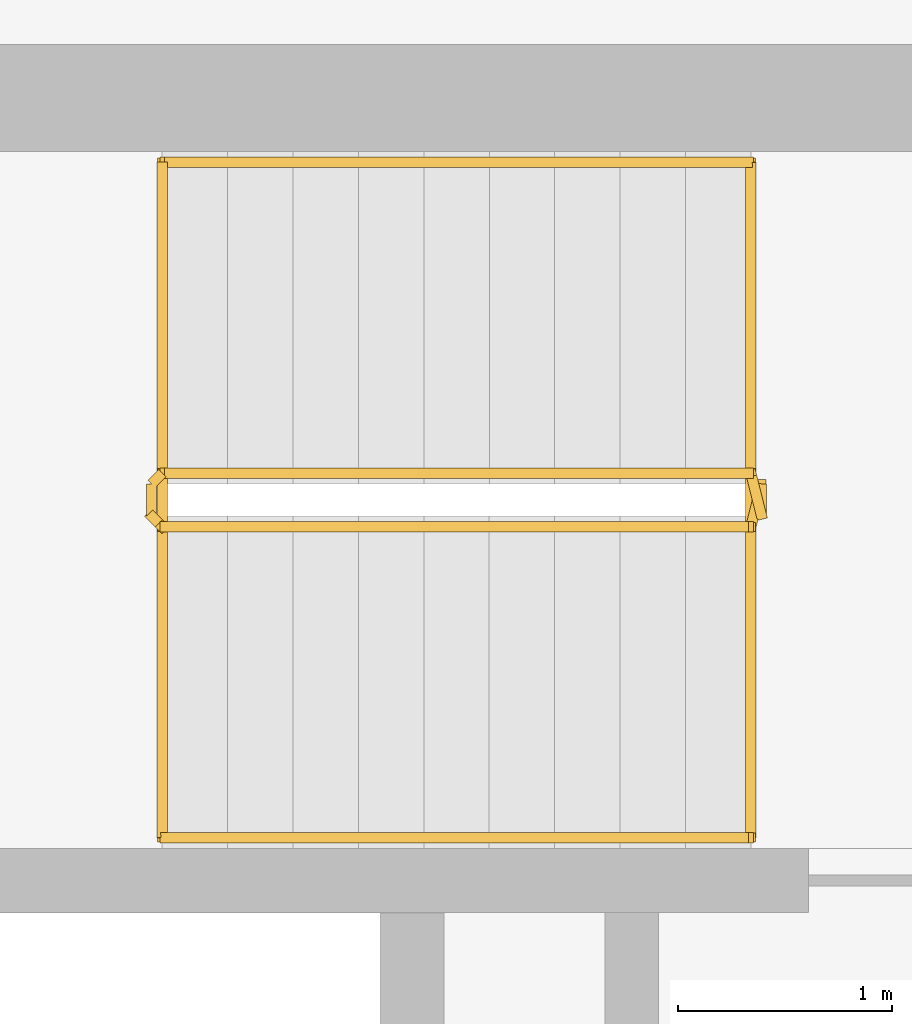
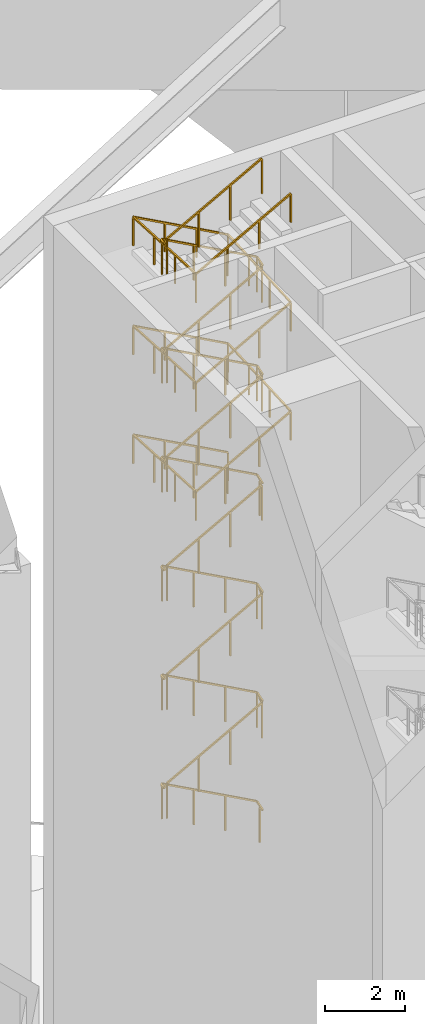
# One storey, part 24 of 26: 3 railings.
"""IFC4 building model written with IfcOpenShell, lengths in metres."""

from ifc_helpers import new_model, si_unit, direction, frame, origin, origin_2d, place, context, subcontext, project, spatial, rectangle, extrude, material, type_object, element, save


model = new_model("IFC4")

# Units and contexts
model_context = context("Model", 3, precision=1e-05, world=origin(), true_north=direction((0.0, 1.0)))
body_context = subcontext(model_context, "Body", "Model", "MODEL_VIEW")
ifc_project = project(units=[si_unit("LENGTHUNIT", "METRE"), si_unit("AREAUNIT", "SQUARE_METRE"), si_unit("VOLUMEUNIT", "CUBIC_METRE"), si_unit("PLANEANGLEUNIT", "RADIAN"), si_unit("MASSUNIT", "GRAM", prefix="KILO")], contexts=[model_context])

# Site, building, storey
site_placement = place(None, origin())
site = spatial("IfcSite", under=ifc_project, at=site_placement, CompositionType="ELEMENT")
building_placement = place(site_placement, origin())
building = spatial("IfcBuilding", under=site, at=building_placement, Name="Noorbagh Ring Tower", CompositionType="ELEMENT")
storey_placement = place(building_placement, frame((0.0, 0.0, 203.5)))
storey = spatial("IfcBuildingStorey", under=building, at=storey_placement, Name="L47", CompositionType="ELEMENT", Elevation=203.5)

# Railings
ifc_material_1 = material(Name="Stainless steel", Category="steel")
railing_type_1 = type_object("IfcRailingType", Name="CORE-STAIR-GUARD", PredefinedType="GUARDRAIL", material=ifc_material_1)
railing_1_placement = place(storey_placement, frame((21.580078125, 6.449951171875, 10.0)))
element("IfcRailing", 1, at=railing_1_placement, inside=storey, type_object=railing_type_1, Name="L47b ST3 stair guard", PredefinedType="GUARDRAIL", context=body_context, shape_type="SweptSolid", body=[
    extrude(rectangle(XDim=0.048095703125, YDim=0.048095703125, at=origin_2d()), frame((0.0, 0.0, 1.076171875), z_axis=(0.0, -1.0, 0.0), x_axis=(1.0, 0.0, 0.0)), (0.0, 0.0, 1.0), 0.14990234375),
    extrude(rectangle(XDim=0.048095703125, YDim=0.048095703125, at=origin_2d()), frame((0.0, -0.14990234375, 1.076171875), z_axis=(-0.188775798145, 0.754182335027, 0.628945707965), x_axis=(-0.970072785993, -0.242814311512, 0.0)), (0.0, 0.0, 1.0), 0.26513671875),
    extrude(rectangle(XDim=0.048095703125, YDim=0.048095703125, at=origin_2d()), frame((-0.050048828125, 0.050048828125, 1.24267578125), z_axis=(-0.877537414544, 0.0, 0.479508171021), x_axis=(0.0, -1.0, 0.0)), (0.0, 0.0, 1.0), 3.128173828125),
    extrude(rectangle(XDim=0.048095703125, YDim=0.048095703125, at=origin_2d()), frame((-2.795166015625, 0.050048828125, 2.74267578125), z_axis=(-0.705375805398, -0.708833529934, 0.0), x_axis=(0.708833529934, -0.705375805398, 0.0)), (0.0, 0.0, 1.0), 0.070556640625),
    extrude(rectangle(XDim=0.048095703125, YDim=0.048095703125, at=origin_2d()), frame((-2.844970703125, 0.0, 2.74267578125), z_axis=(0.0, -1.0, 0.0), x_axis=(1.0, 0.0, 0.0)), (0.0, 0.0, 1.0), 0.14990234375),
    extrude(rectangle(XDim=0.048095703125, YDim=0.048095703125, at=origin_2d()), frame((-2.844970703125, -0.14990234375, 2.74267578125), z_axis=(0.275382897532, -0.276732813696, 0.920642824102), x_axis=(0.708833529934, 0.705375805398, 0.0)), (0.0, 0.0, 1.0), 0.180908203125),
    extrude(rectangle(XDim=0.048095703125, YDim=0.048095703125, at=origin_2d()), frame((-2.795166015625, -0.199951171875, 2.9091796875), z_axis=(0.877537414544, 0.0, 0.479508171021), x_axis=(0.0, 1.0, 0.0)), (0.0, 0.0, 1.0), 3.128173828125),
    extrude(rectangle(XDim=0.048095703125, YDim=0.048095703125, at=origin_2d()), frame((-0.050048828125, -0.199951171875, 4.4091796875), z_axis=(0.242814311512, 0.970072785993, 0.0), x_axis=(-0.970072785993, 0.242814311512, 0.0)), (0.0, 0.0, 1.0), 0.2060546875),
    extrude(rectangle(XDim=0.048095703125, YDim=0.048095703125, at=origin_2d()), frame((0.0, 0.0, 4.4091796875), z_axis=(0.0, -1.0, 0.0), x_axis=(1.0, 0.0, 0.0)), (0.0, 0.0, 1.0), 0.14990234375),
    extrude(rectangle(XDim=0.048095703125, YDim=0.048095703125, at=origin_2d()), frame((0.0, -0.14990234375, 4.4091796875), z_axis=(-0.188775798145, 0.754182335027, 0.628945707965), x_axis=(-0.970072785993, -0.242814311512, 0.0)), (0.0, 0.0, 1.0), 0.26513671875),
    extrude(rectangle(XDim=0.048095703125, YDim=0.048095703125, at=origin_2d()), frame((-0.050048828125, 0.050048828125, 4.576171875), z_axis=(-0.877537414544, 0.0, 0.479508171021), x_axis=(0.0, -1.0, 0.0)), (0.0, 0.0, 1.0), 3.128173828125),
    extrude(rectangle(XDim=0.048095703125, YDim=0.048095703125, at=origin_2d()), frame((-2.795166015625, 0.050048828125, 6.076171875), z_axis=(-0.705375805398, -0.708833529934, 0.0), x_axis=(0.708833529934, -0.705375805398, 0.0)), (0.0, 0.0, 1.0), 0.070556640625),
    extrude(rectangle(XDim=0.048095703125, YDim=0.048095703125, at=origin_2d()), frame((-2.844970703125, 0.0, 6.076171875), z_axis=(0.0, -1.0, 0.0), x_axis=(1.0, 0.0, 0.0)), (0.0, 0.0, 1.0), 0.14990234375),
    extrude(rectangle(XDim=0.048095703125, YDim=0.048095703125, at=origin_2d()), frame((-2.844970703125, -0.14990234375, 6.076171875), z_axis=(0.275041040955, -0.276389281352, 0.920848191041), x_axis=(0.708833529934, 0.705375805398, 0.0)), (0.0, 0.0, 1.0), 0.18115234375),
    extrude(rectangle(XDim=0.048095703125, YDim=0.048095703125, at=origin_2d()), frame((-2.795166015625, -0.199951171875, 6.24267578125), z_axis=(0.877537414544, 0.0, 0.479508171021), x_axis=(0.0, 1.0, 0.0)), (0.0, 0.0, 1.0), 3.128173828125),
    extrude(rectangle(XDim=0.048095703125, YDim=0.048095703125, at=origin_2d()), frame((-0.050048828125, -0.199951171875, 7.74267578125), z_axis=(0.242814311512, 0.970072785993, 0.0), x_axis=(-0.970072785993, 0.242814311512, 0.0)), (0.0, 0.0, 1.0), 0.2060546875),
    extrude(rectangle(XDim=0.048095703125, YDim=0.048095703125, at=origin_2d()), frame((0.0, 0.0, 7.74267578125), z_axis=(0.0, -1.0, 0.0), x_axis=(1.0, 0.0, 0.0)), (0.0, 0.0, 1.0), 0.14990234375),
    extrude(rectangle(XDim=0.048095703125, YDim=0.048095703125, at=origin_2d()), frame((0.0, -0.14990234375, 7.74267578125), z_axis=(-0.188885146209, 0.754619193878, 0.628388632753), x_axis=(-0.970072785993, -0.242814311512, 0.0)), (0.0, 0.0, 1.0), 0.264892578125),
    extrude(rectangle(XDim=0.048095703125, YDim=0.048095703125, at=origin_2d()), frame((-0.050048828125, 0.050048828125, 7.9091796875), z_axis=(-0.877537414544, 0.0, 0.479508171021), x_axis=(0.0, -1.0, 0.0)), (0.0, 0.0, 1.0), 3.128173828125),
    extrude(rectangle(XDim=0.048095703125, YDim=0.048095703125, at=origin_2d()), frame((-2.795166015625, 0.050048828125, 9.4091796875), z_axis=(-0.705375805398, -0.708833529934, 0.0), x_axis=(0.708833529934, -0.705375805398, 0.0)), (0.0, 0.0, 1.0), 0.070556640625),
    extrude(rectangle(XDim=0.048095703125, YDim=0.048095703125, at=origin_2d()), frame((-2.844970703125, 0.0, 9.4091796875), z_axis=(0.0, -1.0, 0.0), x_axis=(1.0, 0.0, 0.0)), (0.0, 0.0, 1.0), 0.14990234375),
    extrude(rectangle(XDim=0.048095703125, YDim=0.048095703125, at=origin_2d()), frame((-2.844970703125, -0.14990234375, 9.4091796875), z_axis=(0.275041040955, -0.276389281352, 0.920848191041), x_axis=(0.708833529934, 0.705375805398, 0.0)), (0.0, 0.0, 1.0), 0.18115234375),
    extrude(rectangle(XDim=0.048095703125, YDim=0.048095703125, at=origin_2d()), frame((-2.795166015625, -0.199951171875, 9.576171875), z_axis=(0.877537414544, 0.0, 0.479508171021), x_axis=(0.0, 1.0, 0.0)), (0.0, 0.0, 1.0), 3.128173828125),
    extrude(rectangle(XDim=0.0419921875, YDim=0.0419921875, at=origin_2d()), origin(), (0.0, 0.0, 1.0), 1.052001953125),
    extrude(rectangle(XDim=0.0419921875, YDim=0.0419921875, at=origin_2d()), frame((-0.965087890625, 0.050048828125, 0.666748046875)), (0.0, 0.0, 1.0), 1.052001953125),
    extrude(rectangle(XDim=0.0419921875, YDim=0.0419921875, at=origin_2d()), frame((-1.880126953125, 0.050048828125, 1.166748046875)), (0.0, 0.0, 1.0), 1.052001953125),
    extrude(rectangle(XDim=0.0419921875, YDim=0.0419921875, at=origin_2d()), frame((-2.795166015625, 0.050048828125, 1.666748046875)), (0.0, 0.0, 1.0), 1.052001953125),
    extrude(rectangle(XDim=0.0419921875, YDim=0.0419921875, at=origin_2d()), frame((-2.795166015625, -0.199951171875, 1.833251953125)), (0.0, 0.0, 1.0), 1.052001953125),
    extrude(rectangle(XDim=0.0419921875, YDim=0.0419921875, at=origin_2d()), frame((-1.880126953125, -0.199951171875, 2.333251953125)), (0.0, 0.0, 1.0), 1.052001953125),
    extrude(rectangle(XDim=0.0419921875, YDim=0.0419921875, at=origin_2d()), frame((-0.965087890625, -0.199951171875, 2.833251953125)), (0.0, 0.0, 1.0), 1.052001953125),
    extrude(rectangle(XDim=0.0419921875, YDim=0.0419921875, at=origin_2d()), frame((-0.050048828125, -0.199951171875, 3.333251953125)), (0.0, 0.0, 1.0), 1.052001953125),
    extrude(rectangle(XDim=0.0419921875, YDim=0.0419921875, at=origin_2d()), frame((-0.050048828125, 0.050048828125, 3.5)), (0.0, 0.0, 1.0), 1.052001953125),
    extrude(rectangle(XDim=0.0419921875, YDim=0.0419921875, at=origin_2d()), frame((-0.965087890625, 0.050048828125, 4.0)), (0.0, 0.0, 1.0), 1.052001953125),
    extrude(rectangle(XDim=0.0419921875, YDim=0.0419921875, at=origin_2d()), frame((-1.880126953125, 0.050048828125, 4.5)), (0.0, 0.0, 1.0), 1.052001953125),
    extrude(rectangle(XDim=0.0419921875, YDim=0.0419921875, at=origin_2d()), frame((-2.795166015625, 0.050048828125, 5.0)), (0.0, 0.0, 1.0), 1.052001953125),
    extrude(rectangle(XDim=0.0419921875, YDim=0.0419921875, at=origin_2d()), frame((-2.795166015625, -0.199951171875, 5.166748046875)), (0.0, 0.0, 1.0), 1.052001953125),
    extrude(rectangle(XDim=0.0419921875, YDim=0.0419921875, at=origin_2d()), frame((-1.880126953125, -0.199951171875, 5.666748046875)), (0.0, 0.0, 1.0), 1.052001953125),
    extrude(rectangle(XDim=0.0419921875, YDim=0.0419921875, at=origin_2d()), frame((-0.965087890625, -0.199951171875, 6.166748046875)), (0.0, 0.0, 1.0), 1.052001953125),
    extrude(rectangle(XDim=0.0419921875, YDim=0.0419921875, at=origin_2d()), frame((-0.050048828125, -0.199951171875, 6.666748046875)), (0.0, 0.0, 1.0), 1.052001953125),
    extrude(rectangle(XDim=0.0419921875, YDim=0.0419921875, at=origin_2d()), frame((-0.050048828125, 0.050048828125, 6.833251953125)), (0.0, 0.0, 1.0), 1.052001953125),
    extrude(rectangle(XDim=0.0419921875, YDim=0.0419921875, at=origin_2d()), frame((-0.965087890625, 0.050048828125, 7.333251953125)), (0.0, 0.0, 1.0), 1.052001953125),
    extrude(rectangle(XDim=0.0419921875, YDim=0.0419921875, at=origin_2d()), frame((-1.880126953125, 0.050048828125, 7.833251953125)), (0.0, 0.0, 1.0), 1.052001953125),
    extrude(rectangle(XDim=0.0419921875, YDim=0.0419921875, at=origin_2d()), frame((-2.795166015625, 0.050048828125, 8.333251953125)), (0.0, 0.0, 1.0), 1.052001953125),
    extrude(rectangle(XDim=0.0419921875, YDim=0.0419921875, at=origin_2d()), frame((-2.795166015625, -0.199951171875, 8.5)), (0.0, 0.0, 1.0), 1.052001953125),
    extrude(rectangle(XDim=0.0419921875, YDim=0.0419921875, at=origin_2d()), frame((-1.880126953125, -0.199951171875, 9.0)), (0.0, 0.0, 1.0), 1.052001953125),
    extrude(rectangle(XDim=0.0419921875, YDim=0.0419921875, at=origin_2d()), frame((-0.965087890625, -0.199951171875, 9.5)), (0.0, 0.0, 1.0), 1.052001953125),
    extrude(rectangle(XDim=0.0419921875, YDim=0.0419921875, at=origin_2d()), frame((-0.050048828125, -0.199951171875, 10.0)), (0.0, 0.0, 1.0), 1.052001953125),
])
railing_2_placement = place(storey_placement, frame((21.580078125, 6.449951171875, 20.0)))
element("IfcRailing", 2, at=railing_2_placement, inside=storey, type_object=railing_type_1, Name="L47c ST3 stair guard", PredefinedType="GUARDRAIL", context=body_context, shape_type="SweptSolid", body=[
    extrude(rectangle(XDim=0.048095703125, YDim=0.048095703125, at=origin_2d()), frame((0.0, 0.0, 1.076171875), z_axis=(0.0, -1.0, 0.0), x_axis=(1.0, 0.0, 0.0)), (0.0, 0.0, 1.0), 0.14990234375),
    extrude(rectangle(XDim=0.048095703125, YDim=0.048095703125, at=origin_2d()), frame((0.0, -0.14990234375, 1.076171875), z_axis=(-0.188775798145, 0.754182335027, 0.628945707965), x_axis=(-0.970072785993, -0.242814311512, 0.0)), (0.0, 0.0, 1.0), 0.26513671875),
    extrude(rectangle(XDim=0.048095703125, YDim=0.048095703125, at=origin_2d()), frame((-0.050048828125, 0.050048828125, 1.24267578125), z_axis=(-0.877537414544, 0.0, 0.479508171021), x_axis=(0.0, -1.0, 0.0)), (0.0, 0.0, 1.0), 3.128173828125),
    extrude(rectangle(XDim=0.048095703125, YDim=0.048095703125, at=origin_2d()), frame((-2.795166015625, 0.050048828125, 2.74267578125), z_axis=(-0.705375805398, -0.708833529934, 0.0), x_axis=(0.708833529934, -0.705375805398, 0.0)), (0.0, 0.0, 1.0), 0.070556640625),
    extrude(rectangle(XDim=0.048095703125, YDim=0.048095703125, at=origin_2d()), frame((-2.844970703125, 0.0, 2.74267578125), z_axis=(0.0, -1.0, 0.0), x_axis=(1.0, 0.0, 0.0)), (0.0, 0.0, 1.0), 0.14990234375),
    extrude(rectangle(XDim=0.048095703125, YDim=0.048095703125, at=origin_2d()), frame((-2.844970703125, -0.14990234375, 2.74267578125), z_axis=(0.275382897532, -0.276732813696, 0.920642824102), x_axis=(0.708833529934, 0.705375805398, 0.0)), (0.0, 0.0, 1.0), 0.180908203125),
    extrude(rectangle(XDim=0.048095703125, YDim=0.048095703125, at=origin_2d()), frame((-2.795166015625, -0.199951171875, 2.9091796875), z_axis=(0.877537414544, 0.0, 0.479508171021), x_axis=(0.0, 1.0, 0.0)), (0.0, 0.0, 1.0), 3.128173828125),
    extrude(rectangle(XDim=0.048095703125, YDim=0.048095703125, at=origin_2d()), frame((-0.050048828125, -0.199951171875, 4.4091796875), z_axis=(0.242814311512, 0.970072785993, 0.0), x_axis=(-0.970072785993, 0.242814311512, 0.0)), (0.0, 0.0, 1.0), 0.2060546875),
    extrude(rectangle(XDim=0.048095703125, YDim=0.048095703125, at=origin_2d()), frame((0.0, 0.0, 4.4091796875), z_axis=(0.0, -1.0, 0.0), x_axis=(1.0, 0.0, 0.0)), (0.0, 0.0, 1.0), 0.14990234375),
    extrude(rectangle(XDim=0.048095703125, YDim=0.048095703125, at=origin_2d()), frame((0.0, -0.14990234375, 4.4091796875), z_axis=(-0.188775798145, 0.754182335027, 0.628945707965), x_axis=(-0.970072785993, -0.242814311512, 0.0)), (0.0, 0.0, 1.0), 0.26513671875),
    extrude(rectangle(XDim=0.048095703125, YDim=0.048095703125, at=origin_2d()), frame((-0.050048828125, 0.050048828125, 4.576171875), z_axis=(-0.877537414544, 0.0, 0.479508171021), x_axis=(0.0, -1.0, 0.0)), (0.0, 0.0, 1.0), 3.128173828125),
    extrude(rectangle(XDim=0.048095703125, YDim=0.048095703125, at=origin_2d()), frame((-2.795166015625, 0.050048828125, 6.076171875), z_axis=(-0.705375805398, -0.708833529934, 0.0), x_axis=(0.708833529934, -0.705375805398, 0.0)), (0.0, 0.0, 1.0), 0.070556640625),
    extrude(rectangle(XDim=0.048095703125, YDim=0.048095703125, at=origin_2d()), frame((-2.844970703125, 0.0, 6.076171875), z_axis=(0.0, -1.0, 0.0), x_axis=(1.0, 0.0, 0.0)), (0.0, 0.0, 1.0), 0.14990234375),
    extrude(rectangle(XDim=0.048095703125, YDim=0.048095703125, at=origin_2d()), frame((-2.844970703125, -0.14990234375, 6.076171875), z_axis=(0.275041040955, -0.276389281352, 0.920848191041), x_axis=(0.708833529934, 0.705375805398, 0.0)), (0.0, 0.0, 1.0), 0.18115234375),
    extrude(rectangle(XDim=0.048095703125, YDim=0.048095703125, at=origin_2d()), frame((-2.795166015625, -0.199951171875, 6.24267578125), z_axis=(0.877537414544, 0.0, 0.479508171021), x_axis=(0.0, 1.0, 0.0)), (0.0, 0.0, 1.0), 3.128173828125),
    extrude(rectangle(XDim=0.048095703125, YDim=0.048095703125, at=origin_2d()), frame((-0.050048828125, -0.199951171875, 7.74267578125), z_axis=(0.242814311512, 0.970072785993, 0.0), x_axis=(-0.970072785993, 0.242814311512, 0.0)), (0.0, 0.0, 1.0), 0.2060546875),
    extrude(rectangle(XDim=0.048095703125, YDim=0.048095703125, at=origin_2d()), frame((0.0, 0.0, 7.74267578125), z_axis=(0.0, -1.0, 0.0), x_axis=(1.0, 0.0, 0.0)), (0.0, 0.0, 1.0), 0.14990234375),
    extrude(rectangle(XDim=0.048095703125, YDim=0.048095703125, at=origin_2d()), frame((0.0, -0.14990234375, 7.74267578125), z_axis=(-0.188885146209, 0.754619193878, 0.628388632753), x_axis=(-0.970072785993, -0.242814311512, 0.0)), (0.0, 0.0, 1.0), 0.264892578125),
    extrude(rectangle(XDim=0.048095703125, YDim=0.048095703125, at=origin_2d()), frame((-0.050048828125, 0.050048828125, 7.9091796875), z_axis=(-0.877537414544, 0.0, 0.479508171021), x_axis=(0.0, -1.0, 0.0)), (0.0, 0.0, 1.0), 3.128173828125),
    extrude(rectangle(XDim=0.048095703125, YDim=0.048095703125, at=origin_2d()), frame((-2.795166015625, 0.050048828125, 9.4091796875), z_axis=(-0.705375805398, -0.708833529934, 0.0), x_axis=(0.708833529934, -0.705375805398, 0.0)), (0.0, 0.0, 1.0), 0.070556640625),
    extrude(rectangle(XDim=0.048095703125, YDim=0.048095703125, at=origin_2d()), frame((-2.844970703125, 0.0, 9.4091796875), z_axis=(0.0, -1.0, 0.0), x_axis=(1.0, 0.0, 0.0)), (0.0, 0.0, 1.0), 0.14990234375),
    extrude(rectangle(XDim=0.048095703125, YDim=0.048095703125, at=origin_2d()), frame((-2.844970703125, -0.14990234375, 9.4091796875), z_axis=(0.275041040955, -0.276389281352, 0.920848191041), x_axis=(0.708833529934, 0.705375805398, 0.0)), (0.0, 0.0, 1.0), 0.18115234375),
    extrude(rectangle(XDim=0.048095703125, YDim=0.048095703125, at=origin_2d()), frame((-2.795166015625, -0.199951171875, 9.576171875), z_axis=(0.877537414544, 0.0, 0.479508171021), x_axis=(0.0, 1.0, 0.0)), (0.0, 0.0, 1.0), 3.128173828125),
    extrude(rectangle(XDim=0.0419921875, YDim=0.0419921875, at=origin_2d()), origin(), (0.0, 0.0, 1.0), 1.052001953125),
    extrude(rectangle(XDim=0.0419921875, YDim=0.0419921875, at=origin_2d()), frame((-0.965087890625, 0.050048828125, 0.666748046875)), (0.0, 0.0, 1.0), 1.052001953125),
    extrude(rectangle(XDim=0.0419921875, YDim=0.0419921875, at=origin_2d()), frame((-1.880126953125, 0.050048828125, 1.166748046875)), (0.0, 0.0, 1.0), 1.052001953125),
    extrude(rectangle(XDim=0.0419921875, YDim=0.0419921875, at=origin_2d()), frame((-2.795166015625, 0.050048828125, 1.666748046875)), (0.0, 0.0, 1.0), 1.052001953125),
    extrude(rectangle(XDim=0.0419921875, YDim=0.0419921875, at=origin_2d()), frame((-2.795166015625, -0.199951171875, 1.833251953125)), (0.0, 0.0, 1.0), 1.052001953125),
    extrude(rectangle(XDim=0.0419921875, YDim=0.0419921875, at=origin_2d()), frame((-1.880126953125, -0.199951171875, 2.333251953125)), (0.0, 0.0, 1.0), 1.052001953125),
    extrude(rectangle(XDim=0.0419921875, YDim=0.0419921875, at=origin_2d()), frame((-0.965087890625, -0.199951171875, 2.833251953125)), (0.0, 0.0, 1.0), 1.052001953125),
    extrude(rectangle(XDim=0.0419921875, YDim=0.0419921875, at=origin_2d()), frame((-0.050048828125, -0.199951171875, 3.333251953125)), (0.0, 0.0, 1.0), 1.052001953125),
    extrude(rectangle(XDim=0.0419921875, YDim=0.0419921875, at=origin_2d()), frame((-0.050048828125, 0.050048828125, 3.5)), (0.0, 0.0, 1.0), 1.052001953125),
    extrude(rectangle(XDim=0.0419921875, YDim=0.0419921875, at=origin_2d()), frame((-0.965087890625, 0.050048828125, 4.0)), (0.0, 0.0, 1.0), 1.052001953125),
    extrude(rectangle(XDim=0.0419921875, YDim=0.0419921875, at=origin_2d()), frame((-1.880126953125, 0.050048828125, 4.5)), (0.0, 0.0, 1.0), 1.052001953125),
    extrude(rectangle(XDim=0.0419921875, YDim=0.0419921875, at=origin_2d()), frame((-2.795166015625, 0.050048828125, 5.0)), (0.0, 0.0, 1.0), 1.052001953125),
    extrude(rectangle(XDim=0.0419921875, YDim=0.0419921875, at=origin_2d()), frame((-2.795166015625, -0.199951171875, 5.166748046875)), (0.0, 0.0, 1.0), 1.052001953125),
    extrude(rectangle(XDim=0.0419921875, YDim=0.0419921875, at=origin_2d()), frame((-1.880126953125, -0.199951171875, 5.666748046875)), (0.0, 0.0, 1.0), 1.052001953125),
    extrude(rectangle(XDim=0.0419921875, YDim=0.0419921875, at=origin_2d()), frame((-0.965087890625, -0.199951171875, 6.166748046875)), (0.0, 0.0, 1.0), 1.052001953125),
    extrude(rectangle(XDim=0.0419921875, YDim=0.0419921875, at=origin_2d()), frame((-0.050048828125, -0.199951171875, 6.666748046875)), (0.0, 0.0, 1.0), 1.052001953125),
    extrude(rectangle(XDim=0.0419921875, YDim=0.0419921875, at=origin_2d()), frame((-0.050048828125, 0.050048828125, 6.833251953125)), (0.0, 0.0, 1.0), 1.052001953125),
    extrude(rectangle(XDim=0.0419921875, YDim=0.0419921875, at=origin_2d()), frame((-0.965087890625, 0.050048828125, 7.333251953125)), (0.0, 0.0, 1.0), 1.052001953125),
    extrude(rectangle(XDim=0.0419921875, YDim=0.0419921875, at=origin_2d()), frame((-1.880126953125, 0.050048828125, 7.833251953125)), (0.0, 0.0, 1.0), 1.052001953125),
    extrude(rectangle(XDim=0.0419921875, YDim=0.0419921875, at=origin_2d()), frame((-2.795166015625, 0.050048828125, 8.333251953125)), (0.0, 0.0, 1.0), 1.052001953125),
    extrude(rectangle(XDim=0.0419921875, YDim=0.0419921875, at=origin_2d()), frame((-2.795166015625, -0.199951171875, 8.5)), (0.0, 0.0, 1.0), 1.052001953125),
    extrude(rectangle(XDim=0.0419921875, YDim=0.0419921875, at=origin_2d()), frame((-1.880126953125, -0.199951171875, 9.0)), (0.0, 0.0, 1.0), 1.052001953125),
    extrude(rectangle(XDim=0.0419921875, YDim=0.0419921875, at=origin_2d()), frame((-0.965087890625, -0.199951171875, 9.5)), (0.0, 0.0, 1.0), 1.052001953125),
    extrude(rectangle(XDim=0.0419921875, YDim=0.0419921875, at=origin_2d()), frame((-0.050048828125, -0.199951171875, 10.0)), (0.0, 0.0, 1.0), 1.052001953125),
])
ifc_material_2 = material(Name="Stainless steel", Category="steel")
railing_type_2 = type_object("IfcRailingType", Name="CORE-STAIR-HANDRAIL", PredefinedType="HANDRAIL", material=ifc_material_2)
railing_3_placement = place(storey_placement, frame((21.530029296875, 7.949951171875, 20.166748046875)))
element("IfcRailing", 3, at=railing_3_placement, inside=storey, type_object=railing_type_2, Name="L47c ST3 stair handrail", PredefinedType="HANDRAIL", context=body_context, shape_type="SweptSolid", body=[
    extrude(rectangle(XDim=0.048095703125, YDim=0.048095703125, at=origin_2d()), frame((0.0, 0.0, 0.8759765625), z_axis=(-0.877537414544, 0.0, 0.479508171021), x_axis=(0.0, -1.0, 0.0)), (0.0, 0.0, 1.0), 3.128173828125),
    extrude(rectangle(XDim=0.048095703125, YDim=0.048095703125, at=origin_2d()), frame((-2.7451171875, 0.0, 2.3759765625), z_axis=(0.0, -0.998605830047, 0.052786325848), x_axis=(1.0, 0.0, 0.0)), (0.0, 0.0, 1.0), 3.154296875),
    extrude(rectangle(XDim=0.048095703125, YDim=0.048095703125, at=origin_2d()), frame((-2.7451171875, -3.14990234375, 2.54248046875), z_axis=(0.877537414544, 0.0, 0.479508171021), x_axis=(0.0, 1.0, 0.0)), (0.0, 0.0, 1.0), 3.128173828125),
    extrude(rectangle(XDim=0.048095703125, YDim=0.048095703125, at=origin_2d()), frame((0.0, -3.14990234375, 4.04248046875), z_axis=(0.0, 0.998601747152, 0.052863509014), x_axis=(-1.0, 0.0, 0.0)), (0.0, 0.0, 1.0), 3.154296875),
    extrude(rectangle(XDim=0.048095703125, YDim=0.048095703125, at=origin_2d()), frame((0.0, 0.0, 4.208984375), z_axis=(-0.877537414544, 0.0, 0.479508171021), x_axis=(0.0, -1.0, 0.0)), (0.0, 0.0, 1.0), 3.128173828125),
    extrude(rectangle(XDim=0.048095703125, YDim=0.048095703125, at=origin_2d()), frame((-2.7451171875, 0.0, 5.708984375), z_axis=(0.0, -0.998601747152, 0.052863509014), x_axis=(1.0, 0.0, 0.0)), (0.0, 0.0, 1.0), 3.154296875),
    extrude(rectangle(XDim=0.048095703125, YDim=0.048095703125, at=origin_2d()), frame((-2.7451171875, -3.14990234375, 5.8759765625), z_axis=(0.877537414544, 0.0, 0.479508171021), x_axis=(0.0, 1.0, 0.0)), (0.0, 0.0, 1.0), 3.128173828125),
    extrude(rectangle(XDim=0.048095703125, YDim=0.048095703125, at=origin_2d()), frame((0.0, -3.14990234375, 7.3759765625), z_axis=(0.0, 0.998605830047, 0.052786325848), x_axis=(-1.0, 0.0, 0.0)), (0.0, 0.0, 1.0), 3.154296875),
    extrude(rectangle(XDim=0.048095703125, YDim=0.048095703125, at=origin_2d()), frame((0.0, 0.0, 7.54248046875), z_axis=(-0.877537414544, 0.0, 0.479508171021), x_axis=(0.0, -1.0, 0.0)), (0.0, 0.0, 1.0), 3.128173828125),
    extrude(rectangle(XDim=0.048095703125, YDim=0.048095703125, at=origin_2d()), frame((-2.7451171875, 0.0, 9.04248046875), z_axis=(0.0, -0.998601747152, 0.052863509014), x_axis=(1.0, 0.0, 0.0)), (0.0, 0.0, 1.0), 3.154296875),
    extrude(rectangle(XDim=0.048095703125, YDim=0.048095703125, at=origin_2d()), frame((-2.7451171875, -3.14990234375, 9.208984375), z_axis=(0.877537414544, 0.0, 0.479508171021), x_axis=(0.0, 1.0, 0.0)), (0.0, 0.0, 1.0), 3.128173828125),
    extrude(rectangle(XDim=0.0419921875, YDim=0.0419921875, at=origin_2d()), origin(), (0.0, 0.0, 1.0), 0.851806640625),
    extrude(rectangle(XDim=0.0419921875, YDim=0.0419921875, at=origin_2d()), frame((-0.9150390625, 0.0, 0.5)), (0.0, 0.0, 1.0), 0.851806640625),
    extrude(rectangle(XDim=0.0419921875, YDim=0.0419921875, at=origin_2d()), frame((-1.830078125, 0.0, 1.0)), (0.0, 0.0, 1.0), 0.851806640625),
    extrude(rectangle(XDim=0.0419921875, YDim=0.0419921875, at=origin_2d()), frame((-2.7451171875, 0.0, 1.5)), (0.0, 0.0, 1.0), 0.851806640625),
    extrude(rectangle(XDim=0.0419921875, YDim=0.0419921875, at=origin_2d()), frame((-2.7451171875, -1.050048828125, 1.555419921875)), (0.0, 0.0, 1.0), 0.851806640625),
    extrude(rectangle(XDim=0.0419921875, YDim=0.0419921875, at=origin_2d()), frame((-2.7451171875, -2.099853515625, 1.611083984375)), (0.0, 0.0, 1.0), 0.851806640625),
    extrude(rectangle(XDim=0.0419921875, YDim=0.0419921875, at=origin_2d()), frame((-2.7451171875, -3.14990234375, 1.66650390625)), (0.0, 0.0, 1.0), 0.851806640625),
    extrude(rectangle(XDim=0.0419921875, YDim=0.0419921875, at=origin_2d()), frame((-1.830078125, -3.14990234375, 2.16650390625)), (0.0, 0.0, 1.0), 0.851806640625),
    extrude(rectangle(XDim=0.0419921875, YDim=0.0419921875, at=origin_2d()), frame((-0.9150390625, -3.14990234375, 2.66650390625)), (0.0, 0.0, 1.0), 0.851806640625),
    extrude(rectangle(XDim=0.0419921875, YDim=0.0419921875, at=origin_2d()), frame((0.0, -3.14990234375, 3.16650390625)), (0.0, 0.0, 1.0), 0.851806640625),
    extrude(rectangle(XDim=0.0419921875, YDim=0.0419921875, at=origin_2d()), frame((0.0, -2.099853515625, 3.22216796875)), (0.0, 0.0, 1.0), 0.851806640625),
    extrude(rectangle(XDim=0.0419921875, YDim=0.0419921875, at=origin_2d()), frame((0.0, -1.050048828125, 3.277587890625)), (0.0, 0.0, 1.0), 0.851806640625),
    extrude(rectangle(XDim=0.0419921875, YDim=0.0419921875, at=origin_2d()), frame((0.0, 0.0, 3.333251953125)), (0.0, 0.0, 1.0), 0.851806640625),
    extrude(rectangle(XDim=0.0419921875, YDim=0.0419921875, at=origin_2d()), frame((-0.9150390625, 0.0, 3.833251953125)), (0.0, 0.0, 1.0), 0.851806640625),
    extrude(rectangle(XDim=0.0419921875, YDim=0.0419921875, at=origin_2d()), frame((-1.830078125, 0.0, 4.333251953125)), (0.0, 0.0, 1.0), 0.851806640625),
    extrude(rectangle(XDim=0.0419921875, YDim=0.0419921875, at=origin_2d()), frame((-2.7451171875, 0.0, 4.833251953125)), (0.0, 0.0, 1.0), 0.851806640625),
    extrude(rectangle(XDim=0.0419921875, YDim=0.0419921875, at=origin_2d()), frame((-2.7451171875, -1.050048828125, 4.888916015625)), (0.0, 0.0, 1.0), 0.851806640625),
    extrude(rectangle(XDim=0.0419921875, YDim=0.0419921875, at=origin_2d()), frame((-2.7451171875, -2.099853515625, 4.9443359375)), (0.0, 0.0, 1.0), 0.851806640625),
    extrude(rectangle(XDim=0.0419921875, YDim=0.0419921875, at=origin_2d()), frame((-2.7451171875, -3.14990234375, 5.0)), (0.0, 0.0, 1.0), 0.851806640625),
    extrude(rectangle(XDim=0.0419921875, YDim=0.0419921875, at=origin_2d()), frame((-1.830078125, -3.14990234375, 5.5)), (0.0, 0.0, 1.0), 0.851806640625),
    extrude(rectangle(XDim=0.0419921875, YDim=0.0419921875, at=origin_2d()), frame((-0.9150390625, -3.14990234375, 6.0)), (0.0, 0.0, 1.0), 0.851806640625),
    extrude(rectangle(XDim=0.0419921875, YDim=0.0419921875, at=origin_2d()), frame((0.0, -3.14990234375, 6.5)), (0.0, 0.0, 1.0), 0.851806640625),
    extrude(rectangle(XDim=0.0419921875, YDim=0.0419921875, at=origin_2d()), frame((0.0, -2.099853515625, 6.555419921875)), (0.0, 0.0, 1.0), 0.851806640625),
    extrude(rectangle(XDim=0.0419921875, YDim=0.0419921875, at=origin_2d()), frame((0.0, -1.050048828125, 6.611083984375)), (0.0, 0.0, 1.0), 0.851806640625),
    extrude(rectangle(XDim=0.0419921875, YDim=0.0419921875, at=origin_2d()), frame((0.0, 0.0, 6.66650390625)), (0.0, 0.0, 1.0), 0.851806640625),
    extrude(rectangle(XDim=0.0419921875, YDim=0.0419921875, at=origin_2d()), frame((-0.9150390625, 0.0, 7.16650390625)), (0.0, 0.0, 1.0), 0.851806640625),
    extrude(rectangle(XDim=0.0419921875, YDim=0.0419921875, at=origin_2d()), frame((-1.830078125, 0.0, 7.66650390625)), (0.0, 0.0, 1.0), 0.851806640625),
    extrude(rectangle(XDim=0.0419921875, YDim=0.0419921875, at=origin_2d()), frame((-2.7451171875, 0.0, 8.16650390625)), (0.0, 0.0, 1.0), 0.851806640625),
    extrude(rectangle(XDim=0.0419921875, YDim=0.0419921875, at=origin_2d()), frame((-2.7451171875, -1.050048828125, 8.22216796875)), (0.0, 0.0, 1.0), 0.851806640625),
    extrude(rectangle(XDim=0.0419921875, YDim=0.0419921875, at=origin_2d()), frame((-2.7451171875, -2.099853515625, 8.277587890625)), (0.0, 0.0, 1.0), 0.851806640625),
    extrude(rectangle(XDim=0.0419921875, YDim=0.0419921875, at=origin_2d()), frame((-2.7451171875, -3.14990234375, 8.333251953125)), (0.0, 0.0, 1.0), 0.851806640625),
    extrude(rectangle(XDim=0.0419921875, YDim=0.0419921875, at=origin_2d()), frame((-1.830078125, -3.14990234375, 8.833251953125)), (0.0, 0.0, 1.0), 0.851806640625),
    extrude(rectangle(XDim=0.0419921875, YDim=0.0419921875, at=origin_2d()), frame((-0.9150390625, -3.14990234375, 9.333251953125)), (0.0, 0.0, 1.0), 0.851806640625),
    extrude(rectangle(XDim=0.0419921875, YDim=0.0419921875, at=origin_2d()), frame((0.0, -3.14990234375, 9.833251953125)), (0.0, 0.0, 1.0), 0.851806640625),
])

save(model, "model.ifc")
